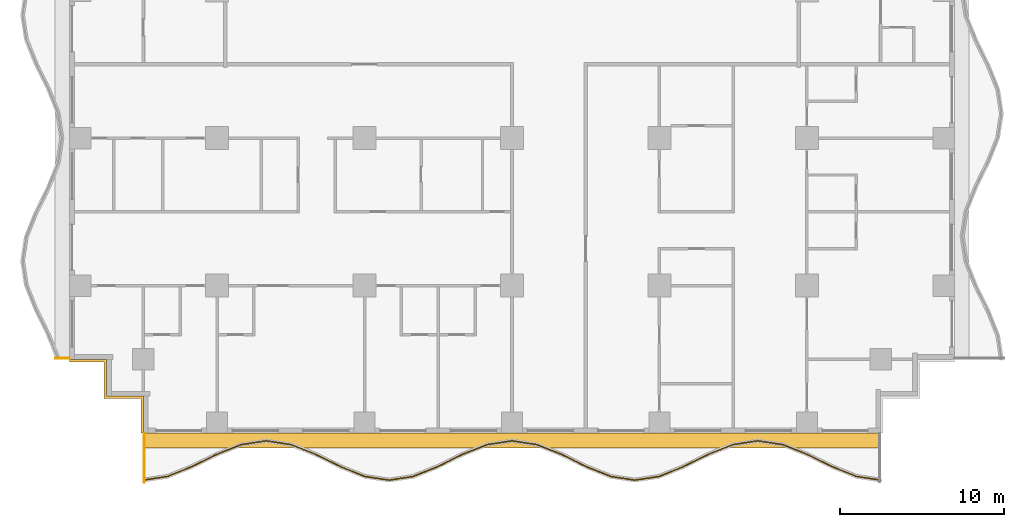
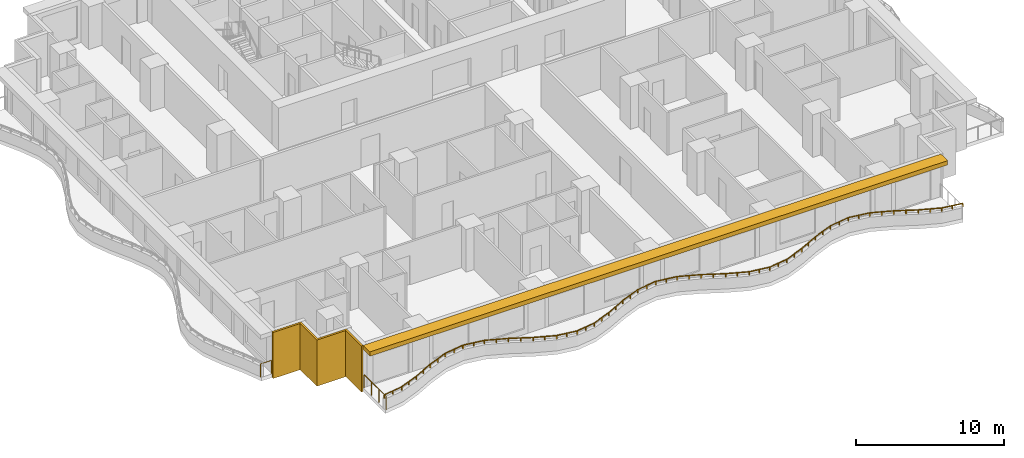
# One storey, part 8 of 14: 3 railings, 2 shading devices.
"""IFC4 building model written with IfcOpenShell, lengths in metres."""

from ifc_helpers import new_model, si_unit, direction, frame, origin, origin_2d, place, context, subcontext, project, spatial, polyline, rectangle, outline, extrude, material, layer, layer_set, type_object, element, save


model = new_model("IFC4")

# Units and contexts
model_context = context("Model", 3, precision=1e-05, world=origin(), true_north=direction((0.0, 1.0)))
body_context = subcontext(model_context, "Body", "Model", "MODEL_VIEW")
ifc_project = project(units=[si_unit("LENGTHUNIT", "METRE"), si_unit("AREAUNIT", "SQUARE_METRE"), si_unit("VOLUMEUNIT", "CUBIC_METRE"), si_unit("PLANEANGLEUNIT", "RADIAN"), si_unit("MASSUNIT", "GRAM", prefix="KILO")], contexts=[model_context])

# Site, building, storey
site_placement = place(None, origin())
site = spatial("IfcSite", under=ifc_project, at=site_placement, CompositionType="ELEMENT")
building_placement = place(site_placement, origin())
building = spatial("IfcBuilding", under=site, at=building_placement, Name="Orbiselva Terraces", CompositionType="ELEMENT")
storey_placement = place(building_placement, frame((0.0, 0.0, 84.6)))
storey = spatial("IfcBuildingStorey", under=building, at=storey_placement, Name="L21", CompositionType="ELEMENT", Elevation=84.6)

# Railings
ifc_material_1 = material(Name="Bonded two-ply safety glass balustrade, stainless steel posts", Category="steel")
railing_type_1 = type_object("IfcRailingType", Name="ENV-BALUSTRADE-1200", PredefinedType="BALUSTRADE", material=ifc_material_1)
railing_1_placement = place(storey_placement, frame((-22.518879, -25.376434, 0.9)))
element("IfcRailing", 1, at=railing_1_placement, inside=storey, type_object=railing_type_1, Name="Balcony balustrade L21 S", PredefinedType="BALUSTRADE", context=body_context, shape_type="SweptSolid", body=[
    extrude(outline(polyline([(0.028868, 0.0), (0.014434, 0.025), (-0.014434, 0.025), (-0.028868, 0.0), (-0.014434, -0.025), (0.014434, -0.025), (0.028868, 0.0)])), frame((0.0, 0.0, 0.275), z_axis=(0.988528552748, 0.151034103443, 0.0), x_axis=(-0.151034103443, 0.988528552748, 0.0)), (0.0, 0.0, 1.0), 1.503038),
    extrude(outline(polyline([(0.028868, 0.0), (0.014434, 0.025), (-0.014434, 0.025), (-0.028868, 0.0), (-0.014434, -0.025), (0.014434, -0.025), (0.028868, 0.0)])), frame((1.485796, 0.22701, 0.275), z_axis=(0.928476561272, 0.371391000387, 0.0), x_axis=(-0.371391000387, 0.928476561272, 0.0)), (0.0, 0.0, 1.0), 1.596261),
    extrude(outline(polyline([(0.028868, 0.0), (0.014434, 0.025), (-0.014434, 0.025), (-0.028868, 0.0), (-0.014434, -0.025), (0.014434, -0.025), (0.028868, 0.0)])), frame((2.967887, 0.819847, 0.275), z_axis=(0.896416672454, 0.443212307306, 0.0), x_axis=(-0.443212307306, 0.896416672454, 0.0)), (0.0, 0.0, 1.0), 1.673329),
    extrude(outline(polyline([(0.028868, 0.0), (0.014434, 0.025), (-0.014434, 0.025), (-0.028868, 0.0), (-0.014434, -0.025), (0.014434, -0.025), (0.028868, 0.0)])), frame((4.467887, 1.561487, 0.275), z_axis=(0.92847681744, 0.371390359967, 0.0), x_axis=(-0.371390359967, 0.92847681744, 0.0)), (0.0, 0.0, 1.0), 1.634838),
    extrude(outline(polyline([(0.028868, 0.0), (0.014434, 0.025), (-0.014434, 0.025), (-0.028868, 0.0), (-0.014434, -0.025), (0.014434, -0.025), (0.028868, 0.0)])), frame((5.985796, 2.16865, 0.275), z_axis=(0.988528536275, 0.151034211256, 0.0), x_axis=(-0.151034211256, 0.988528536275, 0.0)), (0.0, 0.0, 1.0), 1.550874),
    extrude(outline(polyline([(0.028868, 0.0), (0.014434, 0.025), (-0.014434, 0.025), (-0.028868, 0.0), (-0.014434, -0.025), (0.014434, -0.025), (0.028868, 0.0)])), frame((7.518879, 2.402885, 0.275), z_axis=(0.988528536275, -0.151034211256, 0.0), x_axis=(0.151034211256, 0.988528536275, 0.0)), (0.0, 0.0, 1.0), 1.550874),
    extrude(outline(polyline([(0.028868, 0.0), (0.014434, 0.025), (-0.014434, 0.025), (-0.028868, 0.0), (-0.014434, -0.025), (0.014434, -0.025), (0.028868, 0.0)])), frame((9.051962, 2.16865, 0.275), z_axis=(0.92847681744, -0.371390359967, 0.0), x_axis=(0.371390359967, 0.92847681744, 0.0)), (0.0, 0.0, 1.0), 1.634838),
    extrude(outline(polyline([(0.028868, 0.0), (0.014434, 0.025), (-0.014434, 0.025), (-0.028868, 0.0), (-0.014434, -0.025), (0.014434, -0.025), (0.028868, 0.0)])), frame((10.569871, 1.561487, 0.275), z_axis=(0.896416672454, -0.443212307306, 0.0), x_axis=(0.443212307306, 0.896416672454, 0.0)), (0.0, 0.0, 1.0), 1.673329),
    extrude(outline(polyline([(0.028868, 0.0), (0.014434, 0.025), (-0.014434, 0.025), (-0.028868, 0.0), (-0.014434, -0.025), (0.014434, -0.025), (0.028868, 0.0)])), frame((12.069871, 0.819847, 0.275), z_axis=(0.928476561272, -0.371391000387, 0.0), x_axis=(0.371391000387, 0.928476561272, 0.0)), (0.0, 0.0, 1.0), 1.596261),
    extrude(outline(polyline([(0.028868, 0.0), (0.014434, 0.025), (-0.014434, 0.025), (-0.028868, 0.0), (-0.014434, -0.025), (0.014434, -0.025), (0.028868, 0.0)])), frame((13.551962, 0.22701, 0.275), z_axis=(0.988528606898, -0.151033749027, 0.0), x_axis=(0.151033749027, 0.988528606898, 0.0)), (0.0, 0.0, 1.0), 1.48394),
    extrude(outline(polyline([(0.028868, 0.0), (0.014434, 0.025), (-0.014434, 0.025), (-0.028868, 0.0), (-0.014434, -0.025), (0.014434, -0.025), (0.028868, 0.0)])), frame((15.018879, 0.002885, 0.275), z_axis=(0.988528606898, 0.151033749027, 0.0), x_axis=(-0.151033749027, 0.988528606898, 0.0)), (0.0, 0.0, 1.0), 1.48394),
    extrude(outline(polyline([(0.028868, 0.0), (0.014434, 0.025), (-0.014434, 0.025), (-0.028868, 0.0), (-0.014434, -0.025), (0.014434, -0.025), (0.028868, 0.0)])), frame((16.485796, 0.22701, 0.275), z_axis=(0.928476561272, 0.371391000387, 0.0), x_axis=(-0.371391000387, 0.928476561272, 0.0)), (0.0, 0.0, 1.0), 1.596261),
    extrude(outline(polyline([(0.028868, 0.0), (0.014434, 0.025), (-0.014434, 0.025), (-0.028868, 0.0), (-0.014434, -0.025), (0.014434, -0.025), (0.028868, 0.0)])), frame((17.967887, 0.819847, 0.275), z_axis=(0.896416672454, 0.443212307306, 0.0), x_axis=(-0.443212307306, 0.896416672454, 0.0)), (0.0, 0.0, 1.0), 1.673329),
    extrude(outline(polyline([(0.028868, 0.0), (0.014434, 0.025), (-0.014434, 0.025), (-0.028868, 0.0), (-0.014434, -0.025), (0.014434, -0.025), (0.028868, 0.0)])), frame((19.467887, 1.561487, 0.275), z_axis=(0.92847681744, 0.371390359967, 0.0), x_axis=(-0.371390359967, 0.92847681744, 0.0)), (0.0, 0.0, 1.0), 1.634838),
    extrude(outline(polyline([(0.028868, 0.0), (0.014434, 0.025), (-0.014434, 0.025), (-0.028868, 0.0), (-0.014434, -0.025), (0.014434, -0.025), (0.028868, 0.0)])), frame((20.985796, 2.16865, 0.275), z_axis=(0.988528536275, 0.151034211256, 0.0), x_axis=(-0.151034211256, 0.988528536275, 0.0)), (0.0, 0.0, 1.0), 1.550874),
    extrude(outline(polyline([(0.028868, 0.0), (0.014434, 0.025), (-0.014434, 0.025), (-0.028868, 0.0), (-0.014434, -0.025), (0.014434, -0.025), (0.028868, 0.0)])), frame((22.518879, 2.402885, 0.275), z_axis=(0.988528536275, -0.151034211256, 0.0), x_axis=(0.151034211256, 0.988528536275, 0.0)), (0.0, 0.0, 1.0), 1.550874),
    extrude(outline(polyline([(0.028868, 0.0), (0.014434, 0.025), (-0.014434, 0.025), (-0.028868, 0.0), (-0.014434, -0.025), (0.014434, -0.025), (0.028868, 0.0)])), frame((24.051962, 2.16865, 0.275), z_axis=(0.92847681744, -0.371390359967, 0.0), x_axis=(0.371390359967, 0.92847681744, 0.0)), (0.0, 0.0, 1.0), 1.634838),
    extrude(outline(polyline([(0.028868, 0.0), (0.014434, 0.025), (-0.014434, 0.025), (-0.028868, 0.0), (-0.014434, -0.025), (0.014434, -0.025), (0.028868, 0.0)])), frame((25.569871, 1.561487, 0.275), z_axis=(0.896416672454, -0.443212307306, 0.0), x_axis=(0.443212307306, 0.896416672454, 0.0)), (0.0, 0.0, 1.0), 1.673329),
    extrude(outline(polyline([(0.028868, 0.0), (0.014434, 0.025), (-0.014434, 0.025), (-0.028868, 0.0), (-0.014434, -0.025), (0.014434, -0.025), (0.028868, 0.0)])), frame((27.069871, 0.819847, 0.275), z_axis=(0.928476561272, -0.371391000387, 0.0), x_axis=(0.371391000387, 0.928476561272, 0.0)), (0.0, 0.0, 1.0), 1.596261),
    extrude(outline(polyline([(0.028868, 0.0), (0.014434, 0.025), (-0.014434, 0.025), (-0.028868, 0.0), (-0.014434, -0.025), (0.014434, -0.025), (0.028868, 0.0)])), frame((28.551962, 0.22701, 0.275), z_axis=(0.988528606898, -0.151033749027, 0.0), x_axis=(0.151033749027, 0.988528606898, 0.0)), (0.0, 0.0, 1.0), 1.48394),
    extrude(outline(polyline([(0.028868, 0.0), (0.014434, 0.025), (-0.014434, 0.025), (-0.028868, 0.0), (-0.014434, -0.025), (0.014434, -0.025), (0.028868, 0.0)])), frame((30.018879, 0.002885, 0.275), z_axis=(0.988528606898, 0.151033749027, 0.0), x_axis=(-0.151033749027, 0.988528606898, 0.0)), (0.0, 0.0, 1.0), 1.48394),
    extrude(outline(polyline([(0.028868, 0.0), (0.014434, 0.025), (-0.014434, 0.025), (-0.028868, 0.0), (-0.014434, -0.025), (0.014434, -0.025), (0.028868, 0.0)])), frame((31.485796, 0.22701, 0.275), z_axis=(0.928476561272, 0.371391000387, 0.0), x_axis=(-0.371391000387, 0.928476561272, 0.0)), (0.0, 0.0, 1.0), 1.596261),
    extrude(outline(polyline([(0.028868, 0.0), (0.014434, 0.025), (-0.014434, 0.025), (-0.028868, 0.0), (-0.014434, -0.025), (0.014434, -0.025), (0.028868, 0.0)])), frame((32.967887, 0.819847, 0.275), z_axis=(0.896416672454, 0.443212307306, 0.0), x_axis=(-0.443212307306, 0.896416672454, 0.0)), (0.0, 0.0, 1.0), 1.673329),
    extrude(outline(polyline([(0.028868, 0.0), (0.014434, 0.025), (-0.014434, 0.025), (-0.028868, 0.0), (-0.014434, -0.025), (0.014434, -0.025), (0.028868, 0.0)])), frame((34.467887, 1.561487, 0.275), z_axis=(0.92847681744, 0.371390359967, 0.0), x_axis=(-0.371390359967, 0.92847681744, 0.0)), (0.0, 0.0, 1.0), 1.634838),
    extrude(outline(polyline([(0.028868, 0.0), (0.014434, 0.025), (-0.014434, 0.025), (-0.028868, 0.0), (-0.014434, -0.025), (0.014434, -0.025), (0.028868, 0.0)])), frame((35.985796, 2.16865, 0.275), z_axis=(0.988528536275, 0.151034211256, 0.0), x_axis=(-0.151034211256, 0.988528536275, 0.0)), (0.0, 0.0, 1.0), 1.550874),
    extrude(outline(polyline([(0.028868, 0.0), (0.014434, 0.025), (-0.014434, 0.025), (-0.028868, 0.0), (-0.014434, -0.025), (0.014434, -0.025), (0.028868, 0.0)])), frame((37.518879, 2.402885, 0.275), z_axis=(0.988528536275, -0.151034211256, 0.0), x_axis=(0.151034211256, 0.988528536275, 0.0)), (0.0, 0.0, 1.0), 1.550874),
    extrude(outline(polyline([(0.028868, 0.0), (0.014434, 0.025), (-0.014434, 0.025), (-0.028868, 0.0), (-0.014434, -0.025), (0.014434, -0.025), (0.028868, 0.0)])), frame((39.051962, 2.16865, 0.275), z_axis=(0.92847681744, -0.371390359967, 0.0), x_axis=(0.371390359967, 0.92847681744, 0.0)), (0.0, 0.0, 1.0), 1.634838),
    extrude(outline(polyline([(0.028868, 0.0), (0.014434, 0.025), (-0.014434, 0.025), (-0.028868, 0.0), (-0.014434, -0.025), (0.014434, -0.025), (0.028868, 0.0)])), frame((40.569871, 1.561487, 0.275), z_axis=(0.896416672454, -0.443212307306, 0.0), x_axis=(0.443212307306, 0.896416672454, 0.0)), (0.0, 0.0, 1.0), 1.673329),
    extrude(outline(polyline([(0.028868, 0.0), (0.014434, 0.025), (-0.014434, 0.025), (-0.028868, 0.0), (-0.014434, -0.025), (0.014434, -0.025), (0.028868, 0.0)])), frame((42.069871, 0.819847, 0.275), z_axis=(0.928476561272, -0.371391000387, 0.0), x_axis=(0.371391000387, 0.928476561272, 0.0)), (0.0, 0.0, 1.0), 1.596261),
    extrude(outline(polyline([(0.028868, 0.0), (0.014434, 0.025), (-0.014434, 0.025), (-0.028868, 0.0), (-0.014434, -0.025), (0.014434, -0.025), (0.028868, 0.0)])), frame((43.551962, 0.22701, 0.275), z_axis=(0.988528552748, -0.151034103443, 0.0), x_axis=(0.151034103443, 0.988528552748, 0.0)), (0.0, 0.0, 1.0), 1.503038),
    extrude(rectangle(XDim=0.05, YDim=0.05, at=origin_2d()), origin(), (0.0, 0.0, 1.0), 0.25),
    extrude(rectangle(XDim=0.05, YDim=0.05, at=origin_2d()), frame((0.742898, 0.113505, 0.0)), (0.0, 0.0, 1.0), 0.25),
    extrude(rectangle(XDim=0.05, YDim=0.05, at=origin_2d()), frame((1.485796, 0.22701, 0.0)), (0.0, 0.0, 1.0), 0.25),
    extrude(rectangle(XDim=0.05, YDim=0.05, at=origin_2d()), frame((2.226841, 0.523428, 0.0)), (0.0, 0.0, 1.0), 0.25),
    extrude(rectangle(XDim=0.05, YDim=0.05, at=origin_2d()), frame((2.967887, 0.819847, 0.0)), (0.0, 0.0, 1.0), 0.25),
    extrude(rectangle(XDim=0.05, YDim=0.05, at=origin_2d()), frame((3.717887, 1.190667, 0.0)), (0.0, 0.0, 1.0), 0.25),
    extrude(rectangle(XDim=0.05, YDim=0.05, at=origin_2d()), frame((4.467887, 1.561487, 0.0)), (0.0, 0.0, 1.0), 0.25),
    extrude(rectangle(XDim=0.05, YDim=0.05, at=origin_2d()), frame((5.226841, 1.865068, 0.0)), (0.0, 0.0, 1.0), 0.25),
    extrude(rectangle(XDim=0.05, YDim=0.05, at=origin_2d()), frame((5.985796, 2.16865, 0.0)), (0.0, 0.0, 1.0), 0.25),
    extrude(rectangle(XDim=0.05, YDim=0.05, at=origin_2d()), frame((6.752337, 2.285768, 0.0)), (0.0, 0.0, 1.0), 0.25),
    extrude(rectangle(XDim=0.05, YDim=0.05, at=origin_2d()), frame((7.518879, 2.402885, 0.0)), (0.0, 0.0, 1.0), 0.25),
    extrude(rectangle(XDim=0.05, YDim=0.05, at=origin_2d()), frame((8.28542, 2.285768, 0.0)), (0.0, 0.0, 1.0), 0.25),
    extrude(rectangle(XDim=0.05, YDim=0.05, at=origin_2d()), frame((9.051962, 2.16865, 0.0)), (0.0, 0.0, 1.0), 0.25),
    extrude(rectangle(XDim=0.05, YDim=0.05, at=origin_2d()), frame((9.810916, 1.865068, 0.0)), (0.0, 0.0, 1.0), 0.25),
    extrude(rectangle(XDim=0.05, YDim=0.05, at=origin_2d()), frame((10.569871, 1.561487, 0.0)), (0.0, 0.0, 1.0), 0.25),
    extrude(rectangle(XDim=0.05, YDim=0.05, at=origin_2d()), frame((11.319871, 1.190667, 0.0)), (0.0, 0.0, 1.0), 0.25),
    extrude(rectangle(XDim=0.05, YDim=0.05, at=origin_2d()), frame((12.069871, 0.819847, 0.0)), (0.0, 0.0, 1.0), 0.25),
    extrude(rectangle(XDim=0.05, YDim=0.05, at=origin_2d()), frame((12.810916, 0.523428, 0.0)), (0.0, 0.0, 1.0), 0.25),
    extrude(rectangle(XDim=0.05, YDim=0.05, at=origin_2d()), frame((13.551962, 0.22701, 0.0)), (0.0, 0.0, 1.0), 0.25),
    extrude(rectangle(XDim=0.05, YDim=0.05, at=origin_2d()), frame((14.28542, 0.114947, 0.0)), (0.0, 0.0, 1.0), 0.25),
    extrude(rectangle(XDim=0.05, YDim=0.05, at=origin_2d()), frame((15.018879, 0.002885, 0.0)), (0.0, 0.0, 1.0), 0.25),
    extrude(rectangle(XDim=0.05, YDim=0.05, at=origin_2d()), frame((15.752337, 0.114947, 0.0)), (0.0, 0.0, 1.0), 0.25),
    extrude(rectangle(XDim=0.05, YDim=0.05, at=origin_2d()), frame((16.485796, 0.22701, 0.0)), (0.0, 0.0, 1.0), 0.25),
    extrude(rectangle(XDim=0.05, YDim=0.05, at=origin_2d()), frame((17.226842, 0.523428, 0.0)), (0.0, 0.0, 1.0), 0.25),
    extrude(rectangle(XDim=0.05, YDim=0.05, at=origin_2d()), frame((17.967887, 0.819847, 0.0)), (0.0, 0.0, 1.0), 0.25),
    extrude(rectangle(XDim=0.05, YDim=0.05, at=origin_2d()), frame((18.717887, 1.190667, 0.0)), (0.0, 0.0, 1.0), 0.25),
    extrude(rectangle(XDim=0.05, YDim=0.05, at=origin_2d()), frame((19.467887, 1.561487, 0.0)), (0.0, 0.0, 1.0), 0.25),
    extrude(rectangle(XDim=0.05, YDim=0.05, at=origin_2d()), frame((20.226842, 1.865068, 0.0)), (0.0, 0.0, 1.0), 0.25),
    extrude(rectangle(XDim=0.05, YDim=0.05, at=origin_2d()), frame((20.985796, 2.16865, 0.0)), (0.0, 0.0, 1.0), 0.25),
    extrude(rectangle(XDim=0.05, YDim=0.05, at=origin_2d()), frame((21.752337, 2.285768, 0.0)), (0.0, 0.0, 1.0), 0.25),
    extrude(rectangle(XDim=0.05, YDim=0.05, at=origin_2d()), frame((22.518879, 2.402885, 0.0)), (0.0, 0.0, 1.0), 0.25),
    extrude(rectangle(XDim=0.05, YDim=0.05, at=origin_2d()), frame((23.28542, 2.285768, 0.0)), (0.0, 0.0, 1.0), 0.25),
    extrude(rectangle(XDim=0.05, YDim=0.05, at=origin_2d()), frame((24.051962, 2.16865, 0.0)), (0.0, 0.0, 1.0), 0.25),
    extrude(rectangle(XDim=0.05, YDim=0.05, at=origin_2d()), frame((24.810916, 1.865068, 0.0)), (0.0, 0.0, 1.0), 0.25),
    extrude(rectangle(XDim=0.05, YDim=0.05, at=origin_2d()), frame((25.569871, 1.561487, 0.0)), (0.0, 0.0, 1.0), 0.25),
    extrude(rectangle(XDim=0.05, YDim=0.05, at=origin_2d()), frame((26.319871, 1.190667, 0.0)), (0.0, 0.0, 1.0), 0.25),
    extrude(rectangle(XDim=0.05, YDim=0.05, at=origin_2d()), frame((27.069871, 0.819847, 0.0)), (0.0, 0.0, 1.0), 0.25),
    extrude(rectangle(XDim=0.05, YDim=0.05, at=origin_2d()), frame((27.810916, 0.523428, 0.0)), (0.0, 0.0, 1.0), 0.25),
    extrude(rectangle(XDim=0.05, YDim=0.05, at=origin_2d()), frame((28.551962, 0.22701, 0.0)), (0.0, 0.0, 1.0), 0.25),
    extrude(rectangle(XDim=0.05, YDim=0.05, at=origin_2d()), frame((29.28542, 0.114947, 0.0)), (0.0, 0.0, 1.0), 0.25),
    extrude(rectangle(XDim=0.05, YDim=0.05, at=origin_2d()), frame((30.018879, 0.002885, 0.0)), (0.0, 0.0, 1.0), 0.25),
    extrude(rectangle(XDim=0.05, YDim=0.05, at=origin_2d()), frame((30.752338, 0.114947, 0.0)), (0.0, 0.0, 1.0), 0.25),
    extrude(rectangle(XDim=0.05, YDim=0.05, at=origin_2d()), frame((31.485796, 0.22701, 0.0)), (0.0, 0.0, 1.0), 0.25),
    extrude(rectangle(XDim=0.05, YDim=0.05, at=origin_2d()), frame((32.226842, 0.523428, 0.0)), (0.0, 0.0, 1.0), 0.25),
    extrude(rectangle(XDim=0.05, YDim=0.05, at=origin_2d()), frame((32.967887, 0.819847, 0.0)), (0.0, 0.0, 1.0), 0.25),
    extrude(rectangle(XDim=0.05, YDim=0.05, at=origin_2d()), frame((33.717887, 1.190667, 0.0)), (0.0, 0.0, 1.0), 0.25),
    extrude(rectangle(XDim=0.05, YDim=0.05, at=origin_2d()), frame((34.467887, 1.561487, 0.0)), (0.0, 0.0, 1.0), 0.25),
    extrude(rectangle(XDim=0.05, YDim=0.05, at=origin_2d()), frame((35.226842, 1.865068, 0.0)), (0.0, 0.0, 1.0), 0.25),
    extrude(rectangle(XDim=0.05, YDim=0.05, at=origin_2d()), frame((35.985796, 2.16865, 0.0)), (0.0, 0.0, 1.0), 0.25),
    extrude(rectangle(XDim=0.05, YDim=0.05, at=origin_2d()), frame((36.752337, 2.285768, 0.0)), (0.0, 0.0, 1.0), 0.25),
    extrude(rectangle(XDim=0.05, YDim=0.05, at=origin_2d()), frame((37.518879, 2.402885, 0.0)), (0.0, 0.0, 1.0), 0.25),
    extrude(rectangle(XDim=0.05, YDim=0.05, at=origin_2d()), frame((38.28542, 2.285768, 0.0)), (0.0, 0.0, 1.0), 0.25),
    extrude(rectangle(XDim=0.05, YDim=0.05, at=origin_2d()), frame((39.051962, 2.16865, 0.0)), (0.0, 0.0, 1.0), 0.25),
    extrude(rectangle(XDim=0.05, YDim=0.05, at=origin_2d()), frame((39.810917, 1.865068, 0.0)), (0.0, 0.0, 1.0), 0.25),
    extrude(rectangle(XDim=0.05, YDim=0.05, at=origin_2d()), frame((40.569871, 1.561487, 0.0)), (0.0, 0.0, 1.0), 0.25),
    extrude(rectangle(XDim=0.05, YDim=0.05, at=origin_2d()), frame((41.319871, 1.190667, 0.0)), (0.0, 0.0, 1.0), 0.25),
    extrude(rectangle(XDim=0.05, YDim=0.05, at=origin_2d()), frame((42.069871, 0.819847, 0.0)), (0.0, 0.0, 1.0), 0.25),
    extrude(rectangle(XDim=0.05, YDim=0.05, at=origin_2d()), frame((42.810917, 0.523428, 0.0)), (0.0, 0.0, 1.0), 0.25),
    extrude(rectangle(XDim=0.05, YDim=0.05, at=origin_2d()), frame((43.551962, 0.22701, 0.0)), (0.0, 0.0, 1.0), 0.25),
    extrude(rectangle(XDim=0.05, YDim=0.05, at=origin_2d()), frame((44.29486, 0.113505, 0.0)), (0.0, 0.0, 1.0), 0.25),
    extrude(rectangle(XDim=0.05, YDim=0.05, at=origin_2d()), frame((45.037758, 0.0, 0.0)), (0.0, 0.0, 1.0), 0.25),
])
ifc_material_2 = material(Name="Stainless steel rail and posts", Category="steel")
railing_type_2 = type_object("IfcRailingType", Name="ENV-GUARD-1105", PredefinedType="BALUSTRADE", material=ifc_material_2)
railing_2_placement = place(storey_placement, frame((-22.44, -25.499621, 0.0)))
element("IfcRailing", 2, at=railing_2_placement, inside=storey, type_object=railing_type_2, Name="Balcony end guard L21 S", PredefinedType="BALUSTRADE", context=body_context, shape_type="SweptSolid", body=[
    extrude(outline(polyline([(0.028868, 0.0), (0.014434, 0.025), (-0.014434, 0.025), (-0.028868, 0.0), (-0.014434, -0.025), (0.014434, -0.025), (0.028868, 0.0)])), frame((0.0, 0.0, 1.08), z_axis=(0.0, 1.0, 0.0), x_axis=(-1.0, 0.0, 0.0)), (0.0, 0.0, 1.0), 2.974621),
    extrude(rectangle(XDim=0.05, YDim=0.05, at=origin_2d()), origin(), (0.0, 0.0, 1.0), 1.055),
    extrude(rectangle(XDim=0.05, YDim=0.05, at=origin_2d()), frame((0.0, 0.99154, 0.0)), (0.0, 0.0, 1.0), 1.055),
    extrude(rectangle(XDim=0.05, YDim=0.05, at=origin_2d()), frame((0.0, 1.983081, 0.0)), (0.0, 0.0, 1.0), 1.055),
    extrude(rectangle(XDim=0.05, YDim=0.05, at=origin_2d()), frame((0.0, 2.974621, 0.0)), (0.0, 0.0, 1.0), 1.055),
])
railing_3_placement = place(storey_placement, frame((-27.847212, -17.94, 0.0)))
element("IfcRailing", 3, at=railing_3_placement, inside=storey, type_object=railing_type_2, Name="Balcony end guard L21 W", PredefinedType="BALUSTRADE", context=body_context, shape_type="SweptSolid", body=[
    extrude(outline(polyline([(0.028868, 0.0), (0.014434, 0.025), (-0.014434, 0.025), (-0.028868, 0.0), (-0.014434, -0.025), (0.014434, -0.025), (0.028868, 0.0)])), frame((0.0, 0.0, 1.08), z_axis=(1.0, 0.0, 0.0), x_axis=(0.0, 1.0, 0.0)), (0.0, 0.0, 1.0), 0.822212),
    extrude(rectangle(XDim=0.05, YDim=0.05, at=origin_2d()), origin(), (0.0, 0.0, 1.0), 1.055),
    extrude(rectangle(XDim=0.05, YDim=0.05, at=origin_2d()), frame((0.822212, 0.0, 0.0)), (0.0, 0.0, 1.0), 1.055),
])

# Shading devices
ifc_material_3 = material(Name="Terracotta louvre screen", Category="masonry")
ifc_layer_1 = layer(ifc_material_3, 0.15)
ifc_layer_set_1 = layer_set([ifc_layer_1], Name="Terracotta louvre screen")
shading_device_type_1 = type_object("IfcShadingDeviceType", Name="ENV-SCREEN-150", PredefinedType="USERDEFINED", material=ifc_layer_set_1)
shading_device_1_placement = place(storey_placement, frame((0.0, 0.0, -0.3)))
element("IfcShadingDevice", 4, at=shading_device_1_placement, inside=storey, type_object=shading_device_type_1, Name="Louvre screen L21 SW", ObjectType="SCREEN", PredefinedType="USERDEFINED", context=body_context, shape_type="SweptSolid", body=[
    extrude(outline(polyline([(-27.0, -18.15), (-24.9, -18.15), (-24.9, -20.4), (-22.65, -20.4), (-22.65, -22.5), (-22.5, -22.5), (-22.5, -20.25), (-24.75, -20.25), (-24.75, -18.0), (-27.0, -18.0), (-27.0, -18.15)])), origin(), (0.0, 0.0, 1.0), 3.8),
])
ifc_material_4 = material(Name="Terracotta baguette sunshade", Category="masonry")
ifc_layer_2 = layer(ifc_material_4, 0.35)
ifc_layer_set_2 = layer_set([ifc_layer_2], Name="Terracotta baguette sunshade")
shading_device_type_2 = type_object("IfcShadingDeviceType", Name="ENV-SUNSHADE-900x350", PredefinedType="USERDEFINED", material=ifc_layer_set_2)
shading_device_2_placement = place(storey_placement, frame((0.0, 0.0, 3.15)))
element("IfcShadingDevice", 5, at=shading_device_2_placement, inside=storey, type_object=shading_device_type_2, Name="Sunshade band L21 S", ObjectType="SUNSHADE", PredefinedType="USERDEFINED", context=body_context, shape_type="SweptSolid", body=[
    extrude(outline(polyline([(-22.5, -23.4), (22.5, -23.4), (22.5, -22.5), (-22.5, -22.5), (-22.5, -23.4)])), origin(), (0.0, 0.0, 1.0), 0.35),
])

save(model, "model.ifc")
